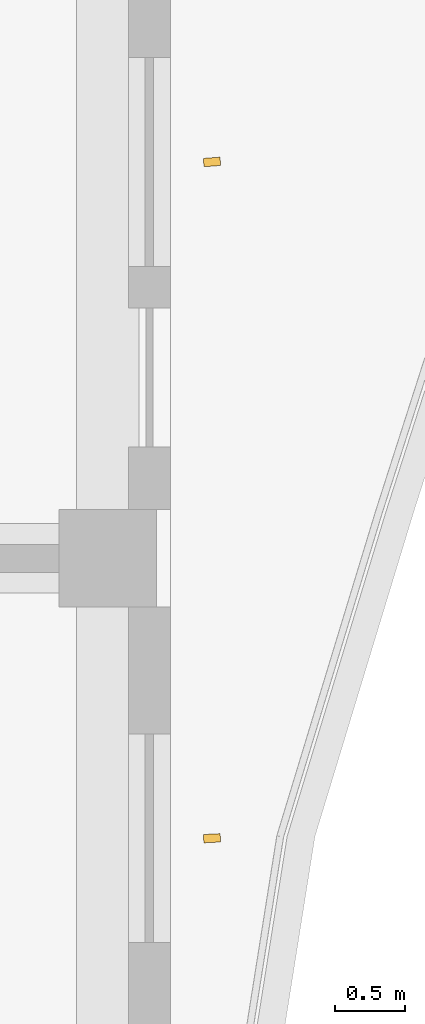
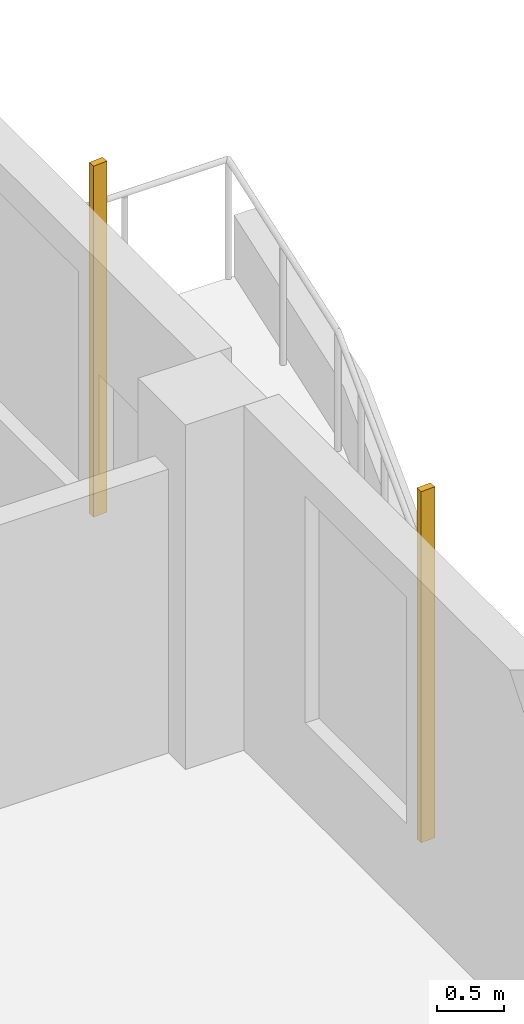
# One storey, part 20 of 20: 2 shading devices.
"""IFC4 building model written with IfcOpenShell, lengths in metres."""

from ifc_helpers import new_model, si_unit, direction, frame, origin, origin_2d, place, context, subcontext, project, spatial, rectangle, extrude, source, transform, mapped, material, material_profile, profile_set, type_object, element, save


model = new_model("IFC4")

# Units and contexts
model_context = context("Model", 3, precision=1e-05, world=origin(), true_north=direction((0.0, 1.0)))
body_context = subcontext(model_context, "Body", "Model", "MODEL_VIEW")
ifc_project = project(units=[si_unit("LENGTHUNIT", "METRE"), si_unit("AREAUNIT", "SQUARE_METRE"), si_unit("VOLUMEUNIT", "CUBIC_METRE"), si_unit("PLANEANGLEUNIT", "RADIAN"), si_unit("MASSUNIT", "GRAM", prefix="KILO")], contexts=[model_context])

# Site, building, storey
site_placement = place(None, origin())
site = spatial("IfcSite", under=ifc_project, at=site_placement, CompositionType="ELEMENT")
building_placement = place(site_placement, origin())
building = spatial("IfcBuilding", under=site, at=building_placement, Name="Kilnfold Tower and Market Hall", CompositionType="ELEMENT")
storey_placement = place(building_placement, frame((0.0, 0.0, 239.0)))
storey = spatial("IfcBuildingStorey", under=building, at=storey_placement, Name="L57", CompositionType="ELEMENT", Elevation=239.0)

# Shading devices
ifc_material = material(Name="Terracotta", Category="masonry")
ifc_material_profile = material_profile(ifc_material, rectangle(XDim=0.06005859375, YDim=0.1201171875, at=origin_2d()), Name="BAG 60x120")
ifc_profile_set = profile_set([ifc_material_profile], Name="Terracotta")
shading_device_type = type_object("IfcShadingDeviceType", Name="BAGUETTE", PredefinedType="USERDEFINED", material=ifc_profile_set)
shared_shape = source(origin(), body_context, "Body", "SweptSolid", [
    extrude(rectangle(XDim=0.06005859375, YDim=0.1201171875, at=origin_2d()), origin(), (0.0, 0.0, 1.0), 3.179931640625),
])
for number, where, z_axis, x_axis, name in (
    (1, (29.800048828125, 19.987548828125, 0.0), (0.0, 0.0, 1.0), (-0.051100173915, 0.998693532684, 0.0), "Terracotta baguette L57 E"),
    (2, (29.800048828125, 24.85009765625, 0.0), (0.0, 0.0, 1.0), (-0.076960911628, 0.997034110791, 0.0), "Terracotta baguette L57 E"),
):
    element("IfcShadingDevice", number, at=place(storey_placement, frame(where, z_axis=z_axis, x_axis=x_axis)), inside=storey, type_object=shading_device_type, Name=name, ObjectType="BAGUETTE", PredefinedType="USERDEFINED", context=body_context, shape_type="MappedRepresentation", body=[
        mapped(shared_shape, transform((0.0, 0.0, 0.0))),
    ])

save(model, "model.ifc")
